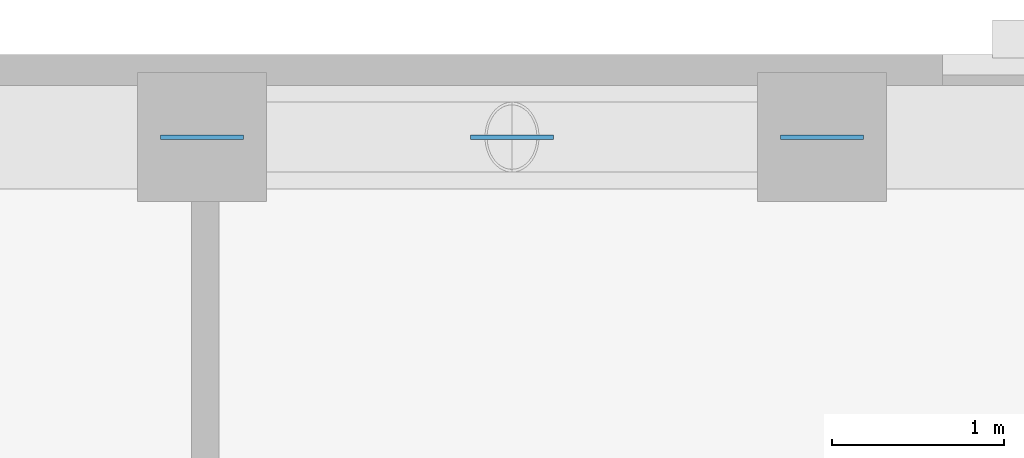
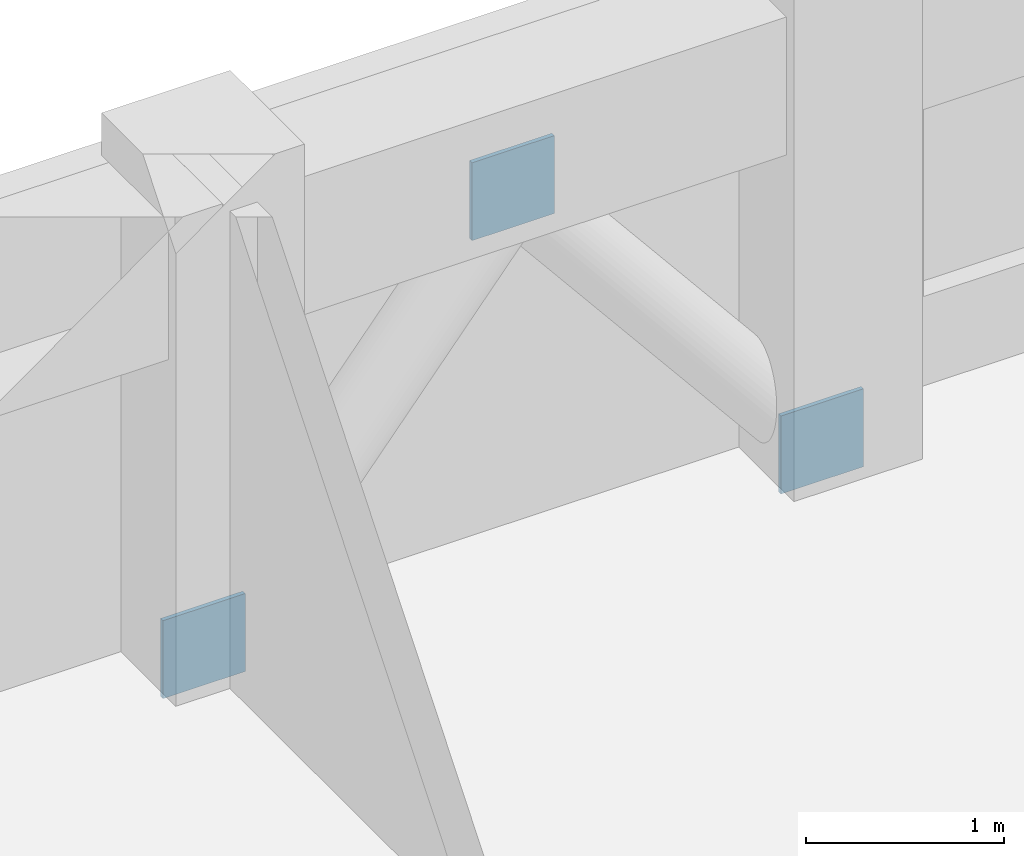
# One storey, part 10 of 12: 3 discrete accessories.
"""IFC4 building model written with IfcOpenShell, lengths in metres."""

from ifc_helpers import new_model, si_unit, derived_unit, direction, frame, origin, origin_2d, place, context, subcontext, project, spatial, rectangle, extrude, material, layer, layer_set, type_object, element, save


model = new_model("IFC4")

# Units and contexts
model_context = context("Model", 3, precision=1e-05, world=origin(), true_north=direction((0.0, 1.0)))
body_context = subcontext(model_context, "Body", "Model", "MODEL_VIEW")
ifc_project = project(units=[si_unit("LENGTHUNIT", "METRE"), si_unit("AREAUNIT", "SQUARE_METRE"), si_unit("VOLUMEUNIT", "CUBIC_METRE"), si_unit("PLANEANGLEUNIT", "RADIAN"), si_unit("MASSUNIT", "GRAM", prefix="KILO"), derived_unit("THERMALTRANSMITTANCEUNIT", [(si_unit("MASSUNIT", "GRAM", prefix="KILO"), 1), (si_unit("TIMEUNIT", "SECOND"), -3), (si_unit("THERMODYNAMICTEMPERATUREUNIT", "KELVIN"), -1)])], contexts=[model_context])

# Site, building, storey
site_placement = place(None, origin())
site = spatial("IfcSite", under=ifc_project, at=site_placement, CompositionType="ELEMENT")
building_placement = place(site_placement, origin())
building = spatial("IfcBuilding", under=site, at=building_placement, Name="Korrvale Station Residences", CompositionType="ELEMENT")
storey_placement = place(building_placement, frame((0.0, 0.0, 107.10009765625)))
storey = spatial("IfcBuildingStorey", under=building, at=storey_placement, Name="L30", CompositionType="ELEMENT", Elevation=107.10009765625)

# Discrete accessories
ifc_material = material(Name="Steel S355", Category="steel")
ifc_layer = layer(ifc_material, 0.02490234375, Name="Steel S355")
ifc_layer_set = layer_set([ifc_layer], Name="Steel S355")
discrete_accessory_type = type_object("IfcDiscreteAccessoryType", Name="ACC-GUSSET-25", PredefinedType="BRACKET", material=ifc_layer_set)
for number, where, z_axis, x_axis, name in (
    (1, (23.199951171875, 42.820068359375, -0.219970703125), (0.0, 0.0, 1.0), (1.0, 0.0, 0.0), "L30 N Brace End Gusset Connection A"),
    (2, (26.800048828125, 42.820068359375, -0.219970703125), (0.0, 0.0, 1.0), (1.0, 0.0, 0.0), "L30 N Brace End Gusset Connection B"),
    (3, (25.0, 42.820068359375, 1.969970703125), (0.0, 0.0, 1.0), (1.0, 0.0, 0.0), "L30 N Brace End Gusset Connection M"),
):
    element("IfcDiscreteAccessory", number, at=place(storey_placement, frame(where, z_axis=z_axis, x_axis=x_axis)), inside=storey, type_object=discrete_accessory_type, Name=name, PredefinedType="BRACKET", context=body_context, shape_type="SweptSolid", body=[
        extrude(rectangle(XDim=0.47998046875, YDim=0.02490234375, at=origin_2d()), origin(), (0.0, 0.0, 1.0), 0.47998046875),
    ])

save(model, "model.ifc")
